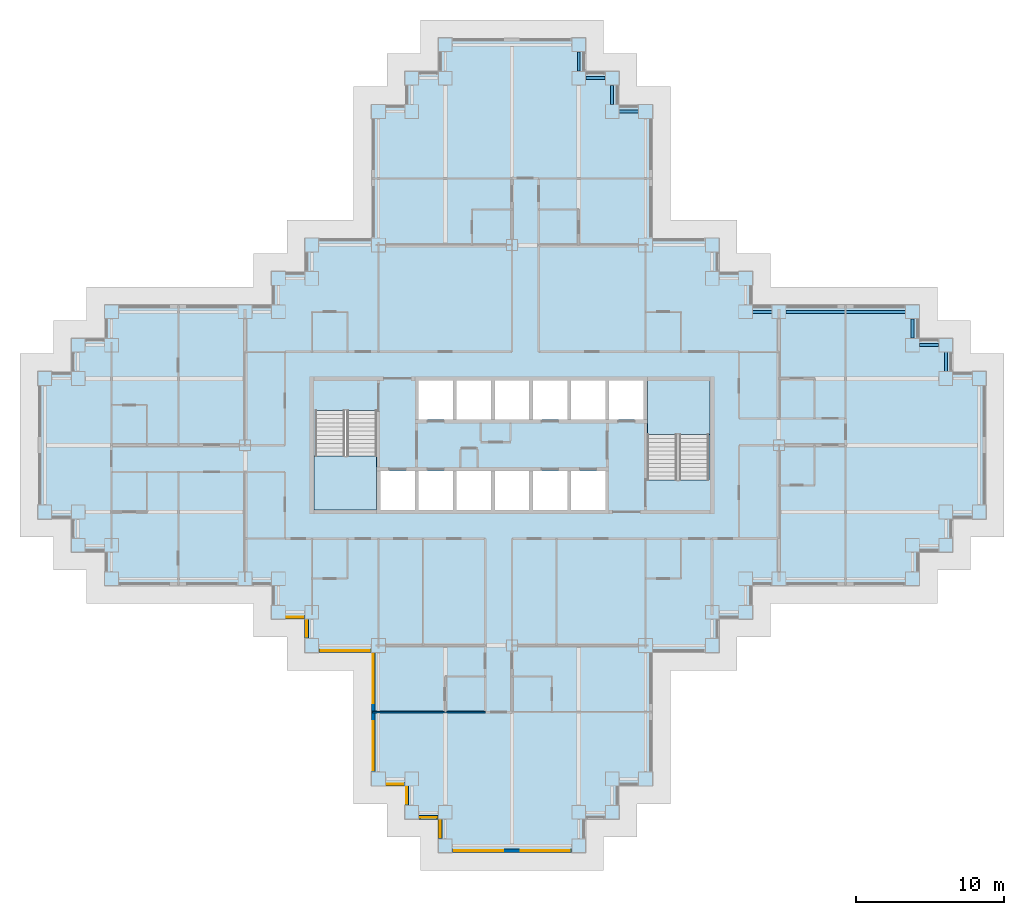
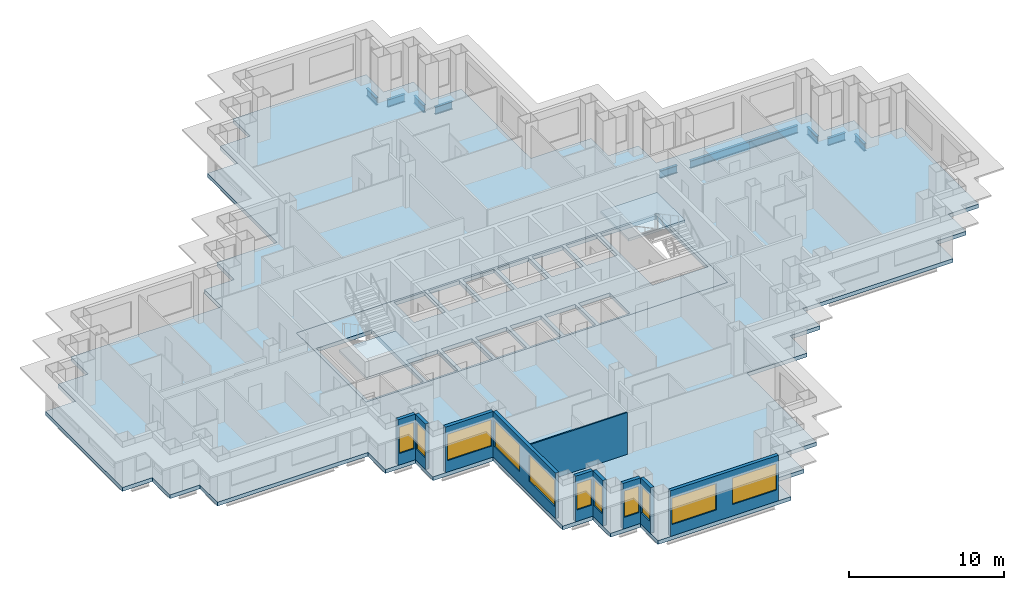
# One storey, part 2 of 14: 11 windows, 10 walls, 9 beams, 4 slabs, 11 openings, 2 elements without a shape of their own.
"""IFC4 building model written with IfcOpenShell, lengths in metres."""

from ifc_helpers import new_model, si_unit, direction, frame, frame_2d, origin, origin_2d, place, context, subcontext, project, spatial, polyline, rectangle, i_section, outline, extrude, material, layer, layer_set, material_profile, profile_set, type_object, element, fill, aggregate, save


model = new_model("IFC4")

# Units and contexts
model_context = context("Model", 3, precision=1e-05, world=origin(), true_north=direction((0.0, 1.0)))
body_context = subcontext(model_context, "Body", "Model", "MODEL_VIEW")
ifc_project = project(units=[si_unit("LENGTHUNIT", "METRE"), si_unit("AREAUNIT", "SQUARE_METRE"), si_unit("VOLUMEUNIT", "CUBIC_METRE"), si_unit("PLANEANGLEUNIT", "RADIAN"), si_unit("MASSUNIT", "GRAM", prefix="KILO")], contexts=[model_context])

# Site, building, storey
site_placement = place(None, origin())
site = spatial("IfcSite", under=ifc_project, at=site_placement, CompositionType="ELEMENT")
building_placement = place(site_placement, origin())
building = spatial("IfcBuilding", under=site, at=building_placement, Name="Caravel Reach Hotel and Residences", CompositionType="ELEMENT")
storey_placement = place(building_placement, frame((0.0, 0.0, 88.800048828125)))
storey = spatial("IfcBuildingStorey", under=building, at=storey_placement, Name="L21", CompositionType="ELEMENT", Elevation=88.800048828125)

# Beams
ifc_material_1 = material(Name="Structural steel Q355B", Category="steel")
ifc_material_profile = material_profile(ifc_material_1, i_section(OverallWidth=0.199951171875, OverallDepth=0.60009765625, WebThickness=0.010986328125, FlangeThickness=0.01708984375, FilletRadius=0.012939453125, at=origin_2d()), Name="HN 600x200x11x17")
ifc_profile_set = profile_set([ifc_material_profile], Name="Structural steel Q355B")
beam_type = type_object("IfcBeamType", Name="Spandrel beam HN 600x200x11x17", PredefinedType="SPANDREL", material=ifc_profile_set)
for number, where, z_axis, x_axis, name in (
    (1, (60.75, 31.97509765625, -0.60009765625), (0.0, 1.0, 0.0), (-1.0, 0.0, 0.0), "SP1 HN 600x200x11x17"),
    (2, (60.27490234375, 33.75, -0.60009765625), (-1.0, 0.0, 0.0), (0.0, -1.0, 0.0), "SP1 HN 600x200x11x17"),
    (3, (58.5, 34.22509765625, -0.60009765625), (0.0, 1.0, 0.0), (-1.0, 0.0, 0.0), "SP1 HN 600x200x11x17"),
):
    element("IfcBeam", number, at=place(storey_placement, frame(where, z_axis=z_axis, x_axis=x_axis)), inside=storey, type_object=beam_type, Name=name, PredefinedType="SPANDREL", context=body_context, shape_type="SweptSolid", body=[
        extrude(i_section(OverallWidth=0.199951171875, OverallDepth=0.60009765625, WebThickness=0.010986328125, FlangeThickness=0.01708984375, FilletRadius=0.012939453125, at=origin_2d()), origin(), (0.0, 0.0, 1.0), 1.2998046875),
    ])
beam_placement = place(storey_placement, frame((58.02490234375, 36.0, -0.60009765625), z_axis=(-1.0, 0.0, 0.0), x_axis=(0.0, -1.0, 0.0)))
element("IfcBeam", 4, at=beam_placement, inside=storey, type_object=beam_type, Name="SP1 HN 600x200x11x17", PredefinedType="SPANDREL", context=body_context, shape_type="SweptSolid", body=[
    extrude(i_section(OverallWidth=0.199951171875, OverallDepth=0.60009765625, WebThickness=0.010986328125, FlangeThickness=0.01708984375, FilletRadius=0.012939453125, at=origin_2d()), origin(), (0.0, 0.0, 1.0), 8.0498046875),
])
for number, where, z_axis, x_axis, name in (
    (5, (49.02490234375, 36.0, -0.60009765625), (-1.0, 0.0, 0.0), (0.0, -1.0, 0.0), "SP1 HN 600x200x11x17"),
    (6, (40.02490234375, 49.5, -0.60009765625), (-1.0, 0.0, 0.0), (0.0, -1.0, 0.0), "SP1 HN 600x200x11x17"),
    (7, (38.25, 49.97509765625, -0.60009765625), (0.0, 1.0, 0.0), (-1.0, 0.0, 0.0), "SP1 HN 600x200x11x17"),
    (8, (37.77490234375, 51.75, -0.60009765625), (-1.0, 0.0, 0.0), (0.0, -1.0, 0.0), "SP1 HN 600x200x11x17"),
    (9, (36.0, 52.22509765625, -0.60009765625), (0.0, 1.0, 0.0), (-1.0, 0.0, 0.0), "SP1 HN 600x200x11x17"),
):
    element("IfcBeam", number, at=place(storey_placement, frame(where, z_axis=z_axis, x_axis=x_axis)), inside=storey, type_object=beam_type, Name=name, PredefinedType="SPANDREL", context=body_context, shape_type="SweptSolid", body=[
        extrude(i_section(OverallWidth=0.199951171875, OverallDepth=0.60009765625, WebThickness=0.010986328125, FlangeThickness=0.01708984375, FilletRadius=0.012939453125, at=origin_2d()), origin(), (0.0, 0.0, 1.0), 1.2998046875),
    ])

# Slab
ifc_material_2 = material(Name="Concrete C40", Category="concrete")
ifc_layer_1 = layer(ifc_material_2, 0.300048828125)
ifc_layer_set_1 = layer_set([ifc_layer_1], Name="Core floor slab 300 mm")
slab_type_1 = type_object("IfcSlabType", Name="Core floor slab 300 mm", PredefinedType="FLOOR", material=ifc_layer_set_1)
slab_1_placement = place(storey_placement, frame((0.0, 0.0, -0.300048828125)))
element("IfcSlab", 10, at=slab_1_placement, inside=storey, type_object=slab_type_1, Name="L21 core floor", PredefinedType="FLOOR", context=body_context, shape_type="SweptSolid", body=[
    extrude(outline(polyline([(18.0, 31.5), (45.0, 31.5), (45.0, 22.5), (18.0, 22.5), (18.0, 31.5)]), holes=[polyline([(22.625, 25.27490234375), (22.625, 22.64990234375), (24.9462890625, 22.64990234375), (24.9462890625, 25.27490234375), (22.625, 25.27490234375)]), polyline([(27.517822265625, 25.27490234375), (25.1962890625, 25.27490234375), (25.1962890625, 22.64990234375), (27.517822265625, 22.64990234375), (27.517822265625, 25.27490234375)]), polyline([(30.08935546875, 25.27490234375), (27.767822265625, 25.27490234375), (27.767822265625, 22.64990234375), (30.08935546875, 22.64990234375), (30.08935546875, 25.27490234375)]), polyline([(32.66064453125, 25.27490234375), (30.33935546875, 25.27490234375), (30.33935546875, 22.64990234375), (32.66064453125, 22.64990234375), (32.66064453125, 25.27490234375)]), polyline([(18.22509765625, 22.64990234375), (22.375, 22.64990234375), (22.375, 29.35009765625), (18.22509765625, 29.35009765625), (18.22509765625, 22.64990234375)]), polyline([(27.517822265625, 31.35009765625), (25.1962890625, 31.35009765625), (25.1962890625, 28.72509765625), (27.517822265625, 28.72509765625), (27.517822265625, 31.35009765625)]), polyline([(30.08935546875, 31.35009765625), (27.767822265625, 31.35009765625), (27.767822265625, 28.72509765625), (30.08935546875, 28.72509765625), (30.08935546875, 31.35009765625)]), polyline([(32.91064453125, 25.27490234375), (32.91064453125, 22.64990234375), (35.232177734375, 22.64990234375), (35.232177734375, 25.27490234375), (32.91064453125, 25.27490234375)]), polyline([(37.8037109375, 25.27490234375), (35.482177734375, 25.27490234375), (35.482177734375, 22.64990234375), (37.8037109375, 22.64990234375), (37.8037109375, 25.27490234375)]), polyline([(44.77490234375, 31.35009765625), (40.625, 31.35009765625), (40.625, 24.64990234375), (44.77490234375, 24.64990234375), (44.77490234375, 31.35009765625)]), polyline([(32.66064453125, 31.35009765625), (30.33935546875, 31.35009765625), (30.33935546875, 28.72509765625), (32.66064453125, 28.72509765625), (32.66064453125, 31.35009765625)]), polyline([(35.232177734375, 31.35009765625), (32.91064453125, 31.35009765625), (32.91064453125, 28.72509765625), (35.232177734375, 28.72509765625), (35.232177734375, 31.35009765625)]), polyline([(37.8037109375, 31.35009765625), (35.482177734375, 31.35009765625), (35.482177734375, 28.72509765625), (37.8037109375, 28.72509765625), (37.8037109375, 31.35009765625)]), polyline([(40.375, 31.35009765625), (38.0537109375, 31.35009765625), (38.0537109375, 28.72509765625), (40.375, 28.72509765625), (40.375, 31.35009765625)])]), origin(), (0.0, 0.0, 1.0), 0.300048828125),
])

# Stair, slab
ifc_material_3 = material(Name="Concrete C40", Category="concrete")
stair_type = type_object("IfcStairType", Name="Core stair", PredefinedType="HALF_TURN_STAIR", material=ifc_material_3)
stair_1_placement = place(storey_placement, origin())
stair_1 = element("IfcStair", 11, at=stair_1_placement, inside=storey, type_object=stair_type, Name="L21 Exit stair A", PredefinedType="HALF_TURN_STAIR")
ifc_material_4 = material(Name="Concrete C40", Category="concrete")
ifc_layer_2 = layer(ifc_material_4, 0.199951171875)
ifc_layer_set_2 = layer_set([ifc_layer_2], Name="Core stair landing")
slab_type_2 = type_object("IfcSlabType", Name="Core stair landing", PredefinedType="LANDING", material=ifc_layer_set_2)
slab_2_placement = place(storey_placement, frame((0.0, 0.0, 1.599853515625)))
slab_2 = element("IfcSlab", 12, at=slab_2_placement, type_object=slab_type_2, Name="ST-A landing 1", PredefinedType="LANDING", context=body_context, shape_type="SweptSolid", body=[
    extrude(outline(polyline([(18.14990234375, 26.27001953125), (18.14990234375, 22.64990234375), (22.375, 22.64990234375), (22.375, 26.27001953125), (18.14990234375, 26.27001953125)])), origin(), (0.0, 0.0, 1.0), 0.2001953125),
])
aggregate(stair_1, [slab_2])

stair_2_placement = place(storey_placement, origin())
stair_2 = element("IfcStair", 13, at=stair_2_placement, inside=storey, type_object=stair_type, Name="L21 Exit stair B", PredefinedType="HALF_TURN_STAIR")
slab_3_placement = place(storey_placement, frame((0.0, 0.0, 1.599853515625)))
slab_3 = element("IfcSlab", 14, at=slab_3_placement, type_object=slab_type_2, Name="ST-B landing 1", PredefinedType="LANDING", context=body_context, shape_type="SweptSolid", body=[
    extrude(outline(polyline([(44.85009765625, 27.72998046875), (44.85009765625, 31.35009765625), (40.625, 31.35009765625), (40.625, 27.72998046875), (44.85009765625, 27.72998046875)])), origin(), (0.0, 0.0, 1.0), 0.2001953125),
])
aggregate(stair_2, [slab_3])

# Slab
ifc_material_5 = material(Name="Concrete C40 post-tensioned", Category="concrete")
ifc_layer_3 = layer(ifc_material_5, 0.300048828125)
ifc_layer_set_3 = layer_set([ifc_layer_3], Name="Floor slab 300")
slab_type_3 = type_object("IfcSlabType", Name="Floor slab 300", PredefinedType="FLOOR", material=ifc_layer_set_3)
slab_4_placement = place(storey_placement, frame((0.0, 0.0, -0.300048828125)))
element("IfcSlab", 15, at=slab_4_placement, inside=storey, type_object=slab_type_3, Name="S2 slab L21", PredefinedType="FLOOR", context=body_context, shape_type="SweptSolid", body=[
    extrude(outline(polyline([(17.52490234375, 13.02490234375), (17.52490234375, 15.27490234375), (15.27490234375, 15.27490234375), (15.27490234375, 17.52490234375), (4.02490234375, 17.52490234375), (4.02490234375, 19.77490234375), (1.77490234375, 19.77490234375), (1.77490234375, 22.02490234375), (-0.47509765625, 22.02490234375), (-0.47509765625, 31.97509765625), (1.77490234375, 31.97509765625), (1.77490234375, 34.22509765625), (4.02490234375, 34.22509765625), (4.02490234375, 36.47509765625), (15.27490234375, 36.47509765625), (15.27490234375, 38.72509765625), (17.52490234375, 38.72509765625), (17.52490234375, 40.97509765625), (22.02490234375, 40.97509765625), (22.02490234375, 49.97509765625), (24.27490234375, 49.97509765625), (24.27490234375, 52.22509765625), (26.52490234375, 52.22509765625), (26.52490234375, 54.47509765625), (36.47509765625, 54.47509765625), (36.47509765625, 52.22509765625), (38.72509765625, 52.22509765625), (38.72509765625, 49.97509765625), (40.97509765625, 49.97509765625), (40.97509765625, 40.97509765625), (45.47509765625, 40.97509765625), (45.47509765625, 38.72509765625), (47.72509765625, 38.72509765625), (47.72509765625, 36.47509765625), (58.97509765625, 36.47509765625), (58.97509765625, 34.22509765625), (61.22509765625, 34.22509765625), (61.22509765625, 31.97509765625), (63.47509765625, 31.97509765625), (63.47509765625, 22.02490234375), (61.22509765625, 22.02490234375), (61.22509765625, 19.77490234375), (58.97509765625, 19.77490234375), (58.97509765625, 17.52490234375), (47.72509765625, 17.52490234375), (47.72509765625, 15.27490234375), (45.47509765625, 15.27490234375), (45.47509765625, 13.02490234375), (40.97509765625, 13.02490234375), (40.97509765625, 4.02490234375), (38.72509765625, 4.02490234375), (38.72509765625, 1.77490234375), (36.47509765625, 1.77490234375), (36.47509765625, -0.47509765625), (26.52490234375, -0.47509765625), (26.52490234375, 1.77490234375), (24.27490234375, 1.77490234375), (24.27490234375, 4.02490234375), (22.02490234375, 4.02490234375), (22.02490234375, 13.02490234375), (17.52490234375, 13.02490234375)]), holes=[polyline([(45.0, 31.5), (18.0, 31.5), (18.0, 22.5), (45.0, 22.5), (45.0, 31.5)])]), origin(), (0.0, 0.0, 1.0), 0.300048828125),
])

# Wall, opening, window
ifc_material_6 = material(Name="Insulated rainscreen wall, aluminium cladding", Category="aluminium")
ifc_layer_4 = layer(ifc_material_6, 0.25)
ifc_layer_set_4 = layer_set([ifc_layer_4], Name="EW1 Tower rainscreen wall")
wall_type_1 = type_object("IfcWallType", Name="EW1 Tower rainscreen wall", PredefinedType="SOLIDWALL", material=ifc_layer_set_4)
wall_1_placement = place(storey_placement, frame((22.97509765625, 4.14990234375, 0.0), z_axis=(0.0, 0.0, 1.0), x_axis=(1.0, 0.0, 0.0)))
wall_1 = element("IfcWall", 16, at=wall_1_placement, inside=storey, type_object=wall_type_1, Name="External wall L21 S1.1", PredefinedType="SOLIDWALL", context=body_context, shape_type="SweptSolid", body=[
    extrude(rectangle(XDim=1.2998046875, YDim=0.25, at=frame_2d((0.64990234375, 0.0))), origin(), (0.0, 0.0, 1.0), 3.599853515625),
])
opening_1_placement = place(wall_1_placement, frame((0.10009765625, 0.0, 0.89990234375)))
opening_1 = element("IfcOpeningElement", 17, at=opening_1_placement, cuts=wall_1, Name="Opening WN5", PredefinedType="OPENING", context=body_context, shape_type="SweptSolid", body=[
    extrude(rectangle(XDim=1.10009765625, YDim=2.080078125, at=frame_2d((0.550048828125, 1.0400390625))), frame((0.0, 0.135009765625, 0.0), z_axis=(0.0, -1.0, 0.0), x_axis=(1.0, 0.0, 0.0)), (0.0, 0.0, 1.0), 0.27001953125),
])
ifc_material_7 = material(Name="Dark low-e glazing in black aluminium frame", Category="aluminium")
window_type_1 = type_object("IfcWindowType", Name="Hotel suite corner window 1100 x 2080", PartitioningType="SINGLE_PANEL", PredefinedType="WINDOW", material=ifc_material_7)
window_1_placement = place(opening_1_placement, origin())
window_1 = element("IfcWindow", 18, at=window_1_placement, inside=storey, type_object=window_type_1, Name="Window L21 S1.1.1", OverallHeight=2.080078125, OverallWidth=1.10009765625, PartitioningType="SINGLE_PANEL", PredefinedType="WINDOW", context=body_context, shape_type="SweptSolid", body=[
    extrude(rectangle(XDim=1.10009765625, YDim=2.080078125, at=frame_2d((0.550048828125, 1.0400390625))), frame((0.0, 0.030029296875, 0.0), z_axis=(0.0, -1.0, 0.0), x_axis=(1.0, 0.0, 0.0)), (0.0, 0.0, 1.0), 0.06005859375),
])
fill(opening_1, window_1)

wall_2_placement = place(storey_placement, frame((24.39990234375, 4.02490234375, 0.0), z_axis=(0.0, 0.0, 1.0), x_axis=(0.0, -1.0, 0.0)))
wall_2 = element("IfcWall", 19, at=wall_2_placement, inside=storey, type_object=wall_type_1, Name="External wall L21 W2.1", PredefinedType="SOLIDWALL", context=body_context, shape_type="SweptSolid", body=[
    extrude(rectangle(XDim=1.2998046875, YDim=0.25, at=frame_2d((0.64990234375, 0.0))), origin(), (0.0, 0.0, 1.0), 3.599853515625),
])
opening_2_placement = place(wall_2_placement, frame((0.10009765625, 0.0, 0.89990234375)))
opening_2 = element("IfcOpeningElement", 20, at=opening_2_placement, cuts=wall_2, Name="Opening WN5", PredefinedType="OPENING", context=body_context, shape_type="SweptSolid", body=[
    extrude(rectangle(XDim=1.10009765625, YDim=2.080078125, at=frame_2d((0.550048828125, 1.0400390625))), frame((0.0, 0.135009765625, 0.0), z_axis=(0.0, -1.0, 0.0), x_axis=(1.0, 0.0, 0.0)), (0.0, 0.0, 1.0), 0.27001953125),
])
window_2_placement = place(opening_2_placement, origin())
window_2 = element("IfcWindow", 21, at=window_2_placement, inside=storey, type_object=window_type_1, Name="Window L21 W2.1.1", OverallHeight=2.080078125, OverallWidth=1.10009765625, PartitioningType="SINGLE_PANEL", PredefinedType="WINDOW", context=body_context, shape_type="SweptSolid", body=[
    extrude(rectangle(XDim=1.10009765625, YDim=2.080078125, at=frame_2d((0.550048828125, 1.0400390625))), frame((0.0, 0.030029296875, 0.0), z_axis=(0.0, -1.0, 0.0), x_axis=(1.0, 0.0, 0.0)), (0.0, 0.0, 1.0), 0.06005859375),
])
fill(opening_2, window_2)

wall_3_placement = place(storey_placement, frame((25.22509765625, 1.89990234375, 0.0), z_axis=(0.0, 0.0, 1.0), x_axis=(1.0, 0.0, 0.0)))
wall_3 = element("IfcWall", 22, at=wall_3_placement, inside=storey, type_object=wall_type_1, Name="External wall L21 S3.1", PredefinedType="SOLIDWALL", context=body_context, shape_type="SweptSolid", body=[
    extrude(rectangle(XDim=1.2998046875, YDim=0.25, at=frame_2d((0.64990234375, 0.0))), origin(), (0.0, 0.0, 1.0), 3.599853515625),
])
opening_3_placement = place(wall_3_placement, frame((0.10009765625, 0.0, 0.89990234375)))
opening_3 = element("IfcOpeningElement", 23, at=opening_3_placement, cuts=wall_3, Name="Opening WN5", PredefinedType="OPENING", context=body_context, shape_type="SweptSolid", body=[
    extrude(rectangle(XDim=1.10009765625, YDim=2.080078125, at=frame_2d((0.550048828125, 1.0400390625))), frame((0.0, 0.135009765625, 0.0), z_axis=(0.0, -1.0, 0.0), x_axis=(1.0, 0.0, 0.0)), (0.0, 0.0, 1.0), 0.27001953125),
])
window_3_placement = place(opening_3_placement, origin())
window_3 = element("IfcWindow", 24, at=window_3_placement, inside=storey, type_object=window_type_1, Name="Window L21 S3.1.1", OverallHeight=2.080078125, OverallWidth=1.10009765625, PartitioningType="SINGLE_PANEL", PredefinedType="WINDOW", context=body_context, shape_type="SweptSolid", body=[
    extrude(rectangle(XDim=1.10009765625, YDim=2.080078125, at=frame_2d((0.550048828125, 1.0400390625))), frame((0.0, 0.030029296875, 0.0), z_axis=(0.0, -1.0, 0.0), x_axis=(1.0, 0.0, 0.0)), (0.0, 0.0, 1.0), 0.06005859375),
])
fill(opening_3, window_3)

wall_4_placement = place(storey_placement, frame((26.64990234375, 1.77490234375, 0.0), z_axis=(0.0, 0.0, 1.0), x_axis=(0.0, -1.0, 0.0)))
wall_4 = element("IfcWall", 25, at=wall_4_placement, inside=storey, type_object=wall_type_1, Name="External wall L21 W4.1", PredefinedType="SOLIDWALL", context=body_context, shape_type="SweptSolid", body=[
    extrude(rectangle(XDim=1.2998046875, YDim=0.25, at=frame_2d((0.64990234375, 0.0))), origin(), (0.0, 0.0, 1.0), 3.599853515625),
])
opening_4_placement = place(wall_4_placement, frame((0.10009765625, 0.0, 0.89990234375)))
opening_4 = element("IfcOpeningElement", 26, at=opening_4_placement, cuts=wall_4, Name="Opening WN5", PredefinedType="OPENING", context=body_context, shape_type="SweptSolid", body=[
    extrude(rectangle(XDim=1.10009765625, YDim=2.080078125, at=frame_2d((0.550048828125, 1.0400390625))), frame((0.0, 0.135009765625, 0.0), z_axis=(0.0, -1.0, 0.0), x_axis=(1.0, 0.0, 0.0)), (0.0, 0.0, 1.0), 0.27001953125),
])
window_4_placement = place(opening_4_placement, origin())
window_4 = element("IfcWindow", 27, at=window_4_placement, inside=storey, type_object=window_type_1, Name="Window L21 W4.1.1", OverallHeight=2.080078125, OverallWidth=1.10009765625, PartitioningType="SINGLE_PANEL", PredefinedType="WINDOW", context=body_context, shape_type="SweptSolid", body=[
    extrude(rectangle(XDim=1.10009765625, YDim=2.080078125, at=frame_2d((0.550048828125, 1.0400390625))), frame((0.0, 0.030029296875, 0.0), z_axis=(0.0, -1.0, 0.0), x_axis=(1.0, 0.0, 0.0)), (0.0, 0.0, 1.0), 0.06005859375),
])
fill(opening_4, window_4)

# Wall, openings, windows
wall_5_placement = place(storey_placement, frame((27.47509765625, -0.35009765625, 0.0), z_axis=(0.0, 0.0, 1.0), x_axis=(1.0, 0.0, 0.0)))
wall_5 = element("IfcWall", 28, at=wall_5_placement, inside=storey, type_object=wall_type_1, Name="External wall L21 S5.1", PredefinedType="SOLIDWALL", context=body_context, shape_type="SweptSolid", body=[
    extrude(rectangle(XDim=8.0498046875, YDim=0.25, at=frame_2d((4.02490234375, 0.0))), origin(), (0.0, 0.0, 1.0), 3.599853515625),
])
opening_5_placement = place(wall_5_placement, frame((0.125, 0.0, 0.89990234375)))
opening_5 = element("IfcOpeningElement", 29, at=opening_5_placement, cuts=wall_5, Name="Opening WN4", PredefinedType="OPENING", context=body_context, shape_type="SweptSolid", body=[
    extrude(rectangle(XDim=3.300048828125, YDim=2.080078125, at=frame_2d((1.64990234375, 1.0400390625))), frame((0.0, 0.135009765625, 0.0), z_axis=(0.0, -1.0, 0.0), x_axis=(1.0, 0.0, 0.0)), (0.0, 0.0, 1.0), 0.27001953125),
])
opening_6_placement = place(wall_5_placement, frame((4.625, 0.0, 0.89990234375)))
opening_6 = element("IfcOpeningElement", 30, at=opening_6_placement, cuts=wall_5, Name="Opening WN4", PredefinedType="OPENING", context=body_context, shape_type="SweptSolid", body=[
    extrude(rectangle(XDim=3.300048828125, YDim=2.080078125, at=frame_2d((1.64990234375, 1.0400390625))), frame((0.0, 0.135009765625, 0.0), z_axis=(0.0, -1.0, 0.0), x_axis=(1.0, 0.0, 0.0)), (0.0, 0.0, 1.0), 0.27001953125),
])
ifc_material_8 = material(Name="Dark low-e glazing in black aluminium frame", Category="aluminium")
window_type_2 = type_object("IfcWindowType", Name="Hotel guest room window 3300 x 2080", PartitioningType="SINGLE_PANEL", PredefinedType="WINDOW", material=ifc_material_8)
window_5_placement = place(opening_5_placement, origin())
window_5 = element("IfcWindow", 31, at=window_5_placement, inside=storey, type_object=window_type_2, Name="Window L21 S5.1.1", OverallHeight=2.080078125, OverallWidth=3.300048828125, PartitioningType="SINGLE_PANEL", PredefinedType="WINDOW", context=body_context, shape_type="SweptSolid", body=[
    extrude(rectangle(XDim=3.300048828125, YDim=2.080078125, at=frame_2d((1.64990234375, 1.0400390625))), frame((0.0, 0.030029296875, 0.0), z_axis=(0.0, -1.0, 0.0), x_axis=(1.0, 0.0, 0.0)), (0.0, 0.0, 1.0), 0.06005859375),
])
fill(opening_5, window_5)
window_6_placement = place(opening_6_placement, origin())
window_6 = element("IfcWindow", 32, at=window_6_placement, inside=storey, type_object=window_type_2, Name="Window L21 S5.1.2", OverallHeight=2.080078125, OverallWidth=3.300048828125, PartitioningType="SINGLE_PANEL", PredefinedType="WINDOW", context=body_context, shape_type="SweptSolid", body=[
    extrude(rectangle(XDim=3.300048828125, YDim=2.080078125, at=frame_2d((1.64990234375, 1.0400390625))), frame((0.0, 0.030029296875, 0.0), z_axis=(0.0, -1.0, 0.0), x_axis=(1.0, 0.0, 0.0)), (0.0, 0.0, 1.0), 0.06005859375),
])
fill(opening_6, window_6)

# Wall, opening, window
wall_6_placement = place(storey_placement, frame((16.22509765625, 15.39990234375, 0.0), z_axis=(0.0, 0.0, 1.0), x_axis=(1.0, 0.0, 0.0)))
wall_6 = element("IfcWall", 33, at=wall_6_placement, inside=storey, type_object=wall_type_1, Name="External wall L21 S57.1", PredefinedType="SOLIDWALL", context=body_context, shape_type="SweptSolid", body=[
    extrude(rectangle(XDim=1.2998046875, YDim=0.25, at=frame_2d((0.64990234375, 0.0))), origin(), (0.0, 0.0, 1.0), 3.599853515625),
])
opening_7_placement = place(wall_6_placement, frame((0.10009765625, 0.0, 0.89990234375)))
opening_7 = element("IfcOpeningElement", 34, at=opening_7_placement, cuts=wall_6, Name="Opening WN5", PredefinedType="OPENING", context=body_context, shape_type="SweptSolid", body=[
    extrude(rectangle(XDim=1.10009765625, YDim=2.080078125, at=frame_2d((0.550048828125, 1.0400390625))), frame((0.0, 0.135009765625, 0.0), z_axis=(0.0, -1.0, 0.0), x_axis=(1.0, 0.0, 0.0)), (0.0, 0.0, 1.0), 0.27001953125),
])
window_7_placement = place(opening_7_placement, origin())
window_7 = element("IfcWindow", 35, at=window_7_placement, inside=storey, type_object=window_type_1, Name="Window L21 S57.1.1", OverallHeight=2.080078125, OverallWidth=1.10009765625, PartitioningType="SINGLE_PANEL", PredefinedType="WINDOW", context=body_context, shape_type="SweptSolid", body=[
    extrude(rectangle(XDim=1.10009765625, YDim=2.080078125, at=frame_2d((0.550048828125, 1.0400390625))), frame((0.0, 0.030029296875, 0.0), z_axis=(0.0, -1.0, 0.0), x_axis=(1.0, 0.0, 0.0)), (0.0, 0.0, 1.0), 0.06005859375),
])
fill(opening_7, window_7)

wall_7_placement = place(storey_placement, frame((17.64990234375, 15.27490234375, 0.0), z_axis=(0.0, 0.0, 1.0), x_axis=(0.0, -1.0, 0.0)))
wall_7 = element("IfcWall", 36, at=wall_7_placement, inside=storey, type_object=wall_type_1, Name="External wall L21 W58.1", PredefinedType="SOLIDWALL", context=body_context, shape_type="SweptSolid", body=[
    extrude(rectangle(XDim=1.2998046875, YDim=0.25, at=frame_2d((0.64990234375, 0.0))), origin(), (0.0, 0.0, 1.0), 3.599853515625),
])
opening_8_placement = place(wall_7_placement, frame((0.10009765625, 0.0, 0.89990234375)))
opening_8 = element("IfcOpeningElement", 37, at=opening_8_placement, cuts=wall_7, Name="Opening WN5", PredefinedType="OPENING", context=body_context, shape_type="SweptSolid", body=[
    extrude(rectangle(XDim=1.10009765625, YDim=2.080078125, at=frame_2d((0.550048828125, 1.0400390625))), frame((0.0, 0.135009765625, 0.0), z_axis=(0.0, -1.0, 0.0), x_axis=(1.0, 0.0, 0.0)), (0.0, 0.0, 1.0), 0.27001953125),
])
window_8_placement = place(opening_8_placement, origin())
window_8 = element("IfcWindow", 38, at=window_8_placement, inside=storey, type_object=window_type_1, Name="Window L21 W58.1.1", OverallHeight=2.080078125, OverallWidth=1.10009765625, PartitioningType="SINGLE_PANEL", PredefinedType="WINDOW", context=body_context, shape_type="SweptSolid", body=[
    extrude(rectangle(XDim=1.10009765625, YDim=2.080078125, at=frame_2d((0.550048828125, 1.0400390625))), frame((0.0, 0.030029296875, 0.0), z_axis=(0.0, -1.0, 0.0), x_axis=(1.0, 0.0, 0.0)), (0.0, 0.0, 1.0), 0.06005859375),
])
fill(opening_8, window_8)

wall_8_placement = place(storey_placement, frame((18.47509765625, 13.14990234375, 0.0), z_axis=(0.0, 0.0, 1.0), x_axis=(1.0, 0.0, 0.0)))
wall_8 = element("IfcWall", 39, at=wall_8_placement, inside=storey, type_object=wall_type_1, Name="External wall L21 S59.1", PredefinedType="SOLIDWALL", context=body_context, shape_type="SweptSolid", body=[
    extrude(rectangle(XDim=3.5498046875, YDim=0.25, at=frame_2d((1.77490234375, 0.0))), origin(), (0.0, 0.0, 1.0), 3.599853515625),
])
opening_9_placement = place(wall_8_placement, frame((0.125, 0.0, 0.89990234375)))
opening_9 = element("IfcOpeningElement", 40, at=opening_9_placement, cuts=wall_8, Name="Opening WN4", PredefinedType="OPENING", context=body_context, shape_type="SweptSolid", body=[
    extrude(rectangle(XDim=3.300048828125, YDim=2.080078125, at=frame_2d((1.64990234375, 1.0400390625))), frame((0.0, 0.135009765625, 0.0), z_axis=(0.0, -1.0, 0.0), x_axis=(1.0, 0.0, 0.0)), (0.0, 0.0, 1.0), 0.27001953125),
])
window_9_placement = place(opening_9_placement, origin())
window_9 = element("IfcWindow", 41, at=window_9_placement, inside=storey, type_object=window_type_2, Name="Window L21 S59.1.1", OverallHeight=2.080078125, OverallWidth=3.300048828125, PartitioningType="SINGLE_PANEL", PredefinedType="WINDOW", context=body_context, shape_type="SweptSolid", body=[
    extrude(rectangle(XDim=3.300048828125, YDim=2.080078125, at=frame_2d((1.64990234375, 1.0400390625))), frame((0.0, 0.030029296875, 0.0), z_axis=(0.0, -1.0, 0.0), x_axis=(1.0, 0.0, 0.0)), (0.0, 0.0, 1.0), 0.06005859375),
])
fill(opening_9, window_9)

# Wall, openings, windows
wall_9_placement = place(storey_placement, frame((22.14990234375, 13.02490234375, 0.0), z_axis=(0.0, 0.0, 1.0), x_axis=(0.0, -1.0, 0.0)))
wall_9 = element("IfcWall", 42, at=wall_9_placement, inside=storey, type_object=wall_type_1, Name="External wall L21 W60.1", PredefinedType="SOLIDWALL", context=body_context, shape_type="SweptSolid", body=[
    extrude(rectangle(XDim=8.0498046875, YDim=0.25, at=frame_2d((4.02490234375, 0.0))), origin(), (0.0, 0.0, 1.0), 3.599853515625),
])
opening_10_placement = place(wall_9_placement, frame((0.125, 0.0, 0.89990234375)))
opening_10 = element("IfcOpeningElement", 43, at=opening_10_placement, cuts=wall_9, Name="Opening WN4", PredefinedType="OPENING", context=body_context, shape_type="SweptSolid", body=[
    extrude(rectangle(XDim=3.300048828125, YDim=2.080078125, at=frame_2d((1.64990234375, 1.0400390625))), frame((0.0, 0.135009765625, 0.0), z_axis=(0.0, -1.0, 0.0), x_axis=(1.0, 0.0, 0.0)), (0.0, 0.0, 1.0), 0.27001953125),
])
opening_11_placement = place(wall_9_placement, frame((4.625, 0.0, 0.89990234375)))
opening_11 = element("IfcOpeningElement", 44, at=opening_11_placement, cuts=wall_9, Name="Opening WN4", PredefinedType="OPENING", context=body_context, shape_type="SweptSolid", body=[
    extrude(rectangle(XDim=3.300048828125, YDim=2.080078125, at=frame_2d((1.64990234375, 1.0400390625))), frame((0.0, 0.135009765625, 0.0), z_axis=(0.0, -1.0, 0.0), x_axis=(1.0, 0.0, 0.0)), (0.0, 0.0, 1.0), 0.27001953125),
])
window_10_placement = place(opening_10_placement, origin())
window_10 = element("IfcWindow", 45, at=window_10_placement, inside=storey, type_object=window_type_2, Name="Window L21 W60.1.1", OverallHeight=2.080078125, OverallWidth=3.300048828125, PartitioningType="SINGLE_PANEL", PredefinedType="WINDOW", context=body_context, shape_type="SweptSolid", body=[
    extrude(rectangle(XDim=3.300048828125, YDim=2.080078125, at=frame_2d((1.64990234375, 1.0400390625))), frame((0.0, 0.030029296875, 0.0), z_axis=(0.0, -1.0, 0.0), x_axis=(1.0, 0.0, 0.0)), (0.0, 0.0, 1.0), 0.06005859375),
])
fill(opening_10, window_10)
window_11_placement = place(opening_11_placement, origin())
window_11 = element("IfcWindow", 46, at=window_11_placement, inside=storey, type_object=window_type_2, Name="Window L21 W60.1.2", OverallHeight=2.080078125, OverallWidth=3.300048828125, PartitioningType="SINGLE_PANEL", PredefinedType="WINDOW", context=body_context, shape_type="SweptSolid", body=[
    extrude(rectangle(XDim=3.300048828125, YDim=2.080078125, at=frame_2d((1.64990234375, 1.0400390625))), frame((0.0, 0.030029296875, 0.0), z_axis=(0.0, -1.0, 0.0), x_axis=(1.0, 0.0, 0.0)), (0.0, 0.0, 1.0), 0.06005859375),
])
fill(opening_11, window_11)

# Wall
ifc_material_9 = material(Name="Gypsum board on steel stud", Category="steel")
ifc_layer_5 = layer(ifc_material_9, 0.10009765625)
ifc_layer_set_5 = layer_set([ifc_layer_5], Name="Partition 100 mm")
wall_type_2 = type_object("IfcWallType", Name="Partition 100 mm", PredefinedType="PARTITIONING", material=ifc_layer_set_5)
wall_10_placement = place(storey_placement, frame((22.0849609375, 9.0, 0.0), z_axis=(0.0, 0.0, 1.0), x_axis=(1.0, 0.0, 0.0)))
element("IfcWall", 47, at=wall_10_placement, inside=storey, type_object=wall_type_2, Name="L21 wall w050", PredefinedType="PARTITIONING", context=body_context, shape_type="SweptSolid", body=[
    extrude(rectangle(XDim=7.614990234375, YDim=0.10009765625, at=frame_2d((3.8076171875, 0.0))), origin(), (0.0, 0.0, 1.0), 3.300048828125),
])

save(model, "model.ifc")
